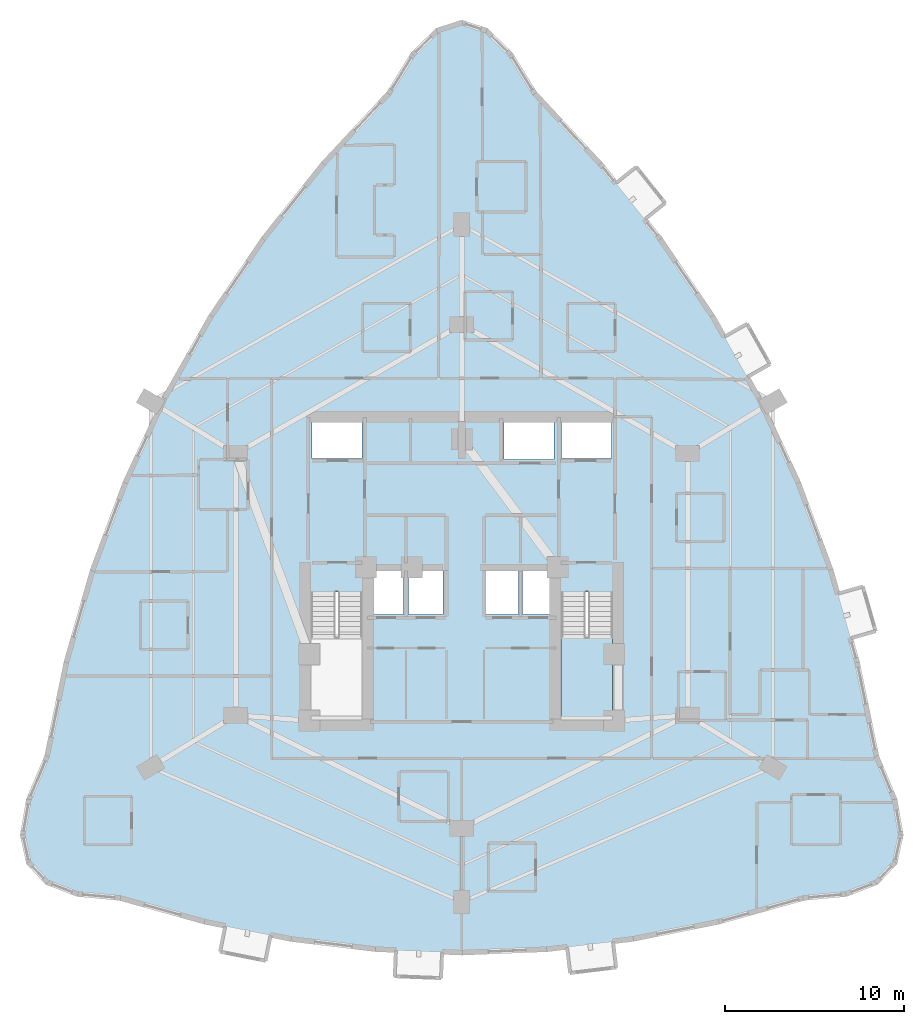
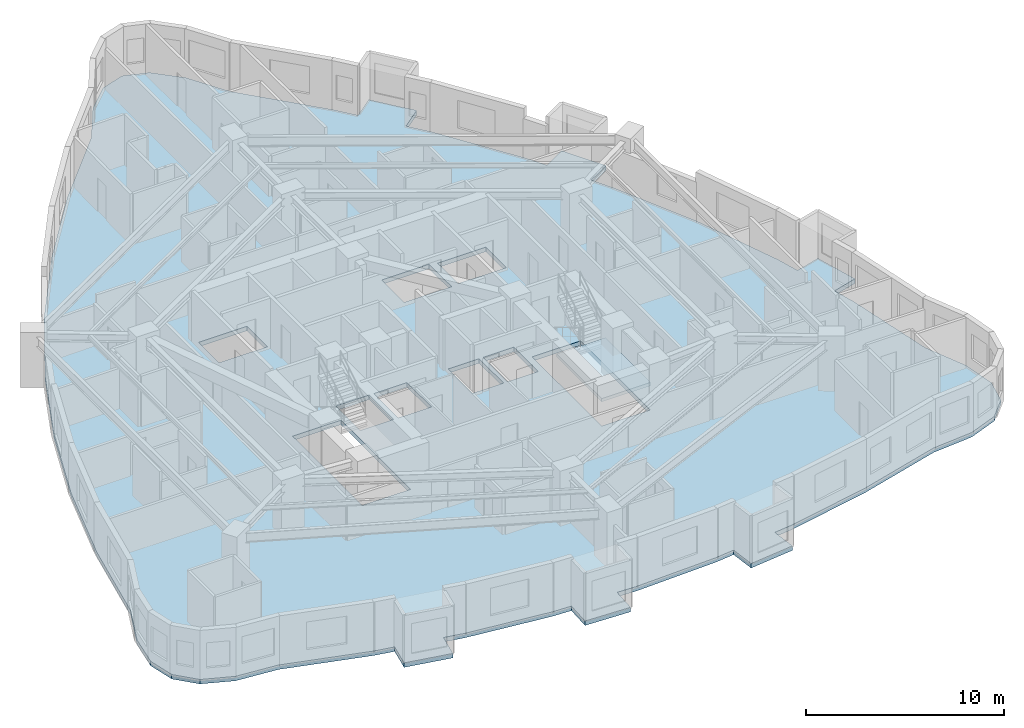
# One storey, part 3 of 13: 2 slabs, 1 element without a shape of its own.
"""IFC4 building model written with IfcOpenShell, lengths in metres."""

from ifc_helpers import new_model, si_unit, direction, frame, origin, place, context, subcontext, project, spatial, polyline, outline, extrude, material, layer, layer_set, type_object, element, aggregate, save


model = new_model("IFC4")

# Units and contexts
model_context = context("Model", 3, precision=1e-05, world=origin(), true_north=direction((0.0, 1.0)))
body_context = subcontext(model_context, "Body", "Model", "MODEL_VIEW")
ifc_project = project(units=[si_unit("LENGTHUNIT", "METRE"), si_unit("AREAUNIT", "SQUARE_METRE"), si_unit("VOLUMEUNIT", "CUBIC_METRE"), si_unit("PLANEANGLEUNIT", "RADIAN"), si_unit("MASSUNIT", "GRAM", prefix="KILO")], contexts=[model_context])

# Site, building, storey
site_placement = place(None, origin())
site = spatial("IfcSite", under=ifc_project, at=site_placement, CompositionType="ELEMENT")
building_placement = place(site_placement, origin())
building = spatial("IfcBuilding", under=site, at=building_placement, Name="Miruveldt Soraemaru", CompositionType="ELEMENT")
storey_placement = place(building_placement, frame((0.0, 0.0, 63.199951171875)))
storey = spatial("IfcBuildingStorey", under=building, at=storey_placement, Name="L17", CompositionType="ELEMENT", Elevation=63.199951171875)

# Stair, slab
ifc_material = material(Name="Concrete C40/50 (40 MPa)", Category="concrete")
stair_type = type_object("IfcStairType", Name="STAIR-DL-340", PredefinedType="HALF_TURN_STAIR", material=ifc_material)
stair_placement = place(storey_placement, origin())
stair = element("IfcStair", 1, at=stair_placement, inside=storey, type_object=stair_type, Name="L17 Protected Exit Stair ST-2", PredefinedType="HALF_TURN_STAIR")
ifc_layer_1 = layer(ifc_material, 0.199951171875, Name="Concrete C40/50 (40 MPa)", Category="concrete")
ifc_layer_set_1 = layer_set([ifc_layer_1], Name="Concrete C40/50 (40 MPa)")
slab_type_1 = type_object("IfcSlabType", Name="SLAB-LAND-200", PredefinedType="LANDING", material=ifc_layer_set_1)
slab_1_placement = place(storey_placement, frame((0.0, 0.0, 1.5)))
slab_1 = element("IfcSlab", 2, at=slab_1_placement, type_object=slab_type_1, Name="ST-2 landing 1", PredefinedType="LANDING", context=body_context, shape_type="SweptSolid", body=[
    extrude(outline(polyline([(49.550048828125, 40.197998046875), (49.550048828125, 35.64990234375), (52.39990234375, 35.64990234375), (52.39990234375, 40.197998046875), (49.550048828125, 40.197998046875)])), origin(), (0.0, 0.0, 1.0), 0.199951171875),
])
aggregate(stair, [slab_1])

# Slab
ifc_layer_2 = layer(ifc_material, 0.27490234375, Name="Concrete C40/50 (40 MPa)", Category="concrete")
ifc_layer_set_2 = layer_set([ifc_layer_2], Name="Concrete C40/50 (40 MPa)")
slab_type_2 = type_object("IfcSlabType", Name="SLAB-RES1-275", PredefinedType="FLOOR", material=ifc_layer_set_2)
slab_2_placement = place(storey_placement, frame((0.0, 0.0, -0.27490234375)))
element("IfcSlab", 3, at=slab_2_placement, inside=storey, type_object=slab_type_2, Name="L17 Structural Floor Slab", PredefinedType="FLOOR", context=body_context, shape_type="SweptSolid", body=[
    extrude(outline(polyline([(40.25732421875, 21.234619140625), (40.31640625, 22.71337890625), (39.23095703125, 22.7568359375), (34.4619140625, 23.3291015625), (32.077392578125, 23.805908203125), (33.35205078125, 23.551025390625), (33.061767578125, 22.099609375), (30.51220703125, 22.609619140625), (30.802490234375, 24.06103515625), (29.69287109375, 24.282958984375), (24.923583984375, 25.6181640625), (22.557373046875, 25.8369140625), (20.866943359375, 26.49267578125), (19.852783203125, 27.585693359375), (19.5146484375, 29.11572265625), (19.852783203125, 31.083251953125), (20.866943359375, 33.48779296875), (21.956298828125, 38.78125), (23.415771484375, 43.8837890625), (25.2451171875, 48.7958984375), (27.444580078125, 53.51708984375), (30.01416015625, 58.04736328125), (32.953857421875, 62.386962890625), (36.263427734375, 66.535888671875), (39.943359375, 70.493896484375), (41.29541015625, 72.679931640625), (42.647705078125, 73.991455078125), (44.0, 74.4287109375), (45.352294921875, 73.991455078125), (46.70458984375, 72.679931640625), (48.056640625, 70.493896484375), (51.736572265625, 66.535888671875), (52.58056640625, 65.4775390625), (53.737548828125, 66.400634765625), (55.359130859375, 64.3681640625), (54.2021484375, 63.4453125), (53.391357421875, 64.46142578125), (55.046142578125, 62.386962890625), (57.98583984375, 58.04736328125), (58.629150390625, 56.9130859375), (59.91650390625, 57.643310546875), (61.19921875, 55.381591796875), (59.912109375, 54.6513671875), (59.2705078125, 55.7822265625), (60.555419921875, 53.51708984375), (62.7548828125, 48.7958984375), (64.584228515625, 43.8837890625), (64.95654296875, 42.58251953125), (66.37939453125, 42.989501953125), (67.094482421875, 40.48974609375), (65.67138671875, 40.082763671875), (65.31396484375, 41.33251953125), (66.043701171875, 38.78125), (67.133056640625, 33.48779296875), (68.147216796875, 31.083251953125), (68.4853515625, 29.11572265625), (68.147216796875, 27.585693359375), (67.133056640625, 26.49267578125), (65.442626953125, 25.8369140625), (63.076416015625, 25.6181640625), (58.30712890625, 24.282958984375), (53.5380859375, 23.3291015625), (51.15380859375, 23.04296875), (52.4443359375, 23.19775390625), (52.62060546875, 21.728271484375), (50.039306640625, 21.418701171875), (49.86279296875, 22.88818359375), (48.76904296875, 22.7568359375), (44.0, 22.56591796875), (41.615478515625, 22.661376953125), (42.914306640625, 22.609375), (42.855224609375, 21.130615234375), (40.25732421875, 21.234619140625)]), holes=[polyline([(35.614990234375, 35.6650390625), (38.43505859375, 35.6650390625), (38.43505859375, 42.68505859375), (35.614990234375, 42.68505859375), (35.614990234375, 35.6650390625)]), polyline([(49.56494140625, 35.6650390625), (52.385009765625, 35.6650390625), (52.385009765625, 42.68505859375), (49.56494140625, 42.68505859375), (49.56494140625, 35.6650390625)]), polyline([(40.764892578125, 41.4150390625), (40.764892578125, 43.885009765625), (38.81494140625, 43.885009765625), (38.81494140625, 41.4150390625), (40.764892578125, 41.4150390625)]), polyline([(42.965087890625, 41.4150390625), (42.965087890625, 43.885009765625), (41.034912109375, 43.885009765625), (41.034912109375, 41.4150390625), (42.965087890625, 41.4150390625)]), polyline([(47.1650390625, 41.4150390625), (47.1650390625, 43.885009765625), (45.364990234375, 43.885009765625), (45.364990234375, 41.4150390625), (47.1650390625, 41.4150390625)]), polyline([(49.18505859375, 41.4150390625), (49.18505859375, 43.885009765625), (47.39501953125, 43.885009765625), (47.39501953125, 41.4150390625), (49.18505859375, 41.4150390625)]), polyline([(38.445068359375, 50.135009765625), (38.445068359375, 52.205078125), (35.635009765625, 52.205078125), (35.635009765625, 50.135009765625), (38.445068359375, 50.135009765625)]), polyline([(49.554931640625, 50.135009765625), (52.364990234375, 50.135009765625), (52.364990234375, 52.205078125), (49.554931640625, 52.205078125), (49.554931640625, 50.135009765625)]), polyline([(46.364990234375, 50.06494140625), (49.135009765625, 50.06494140625), (49.135009765625, 52.3349609375), (46.364990234375, 52.3349609375), (46.364990234375, 50.06494140625)])]), origin(), (0.0, 0.0, 1.0), 0.27490234375),
])

save(model, "model.ifc")
